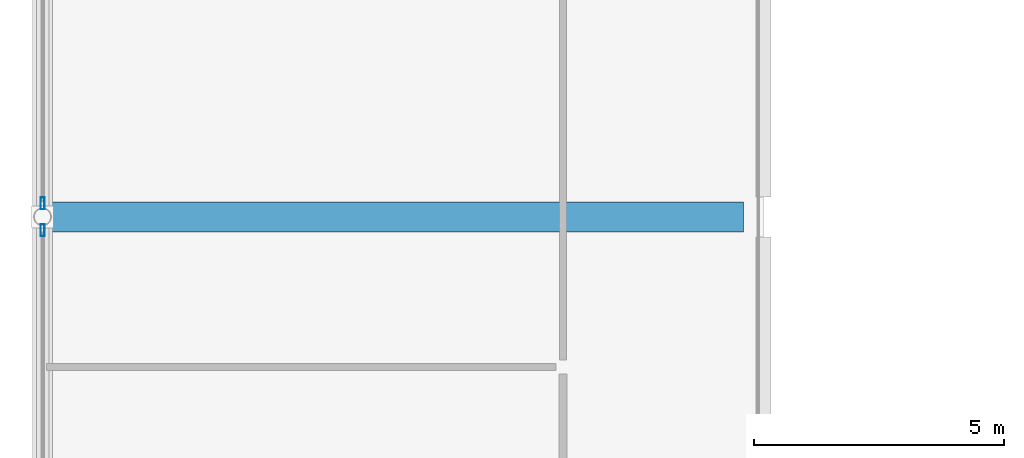
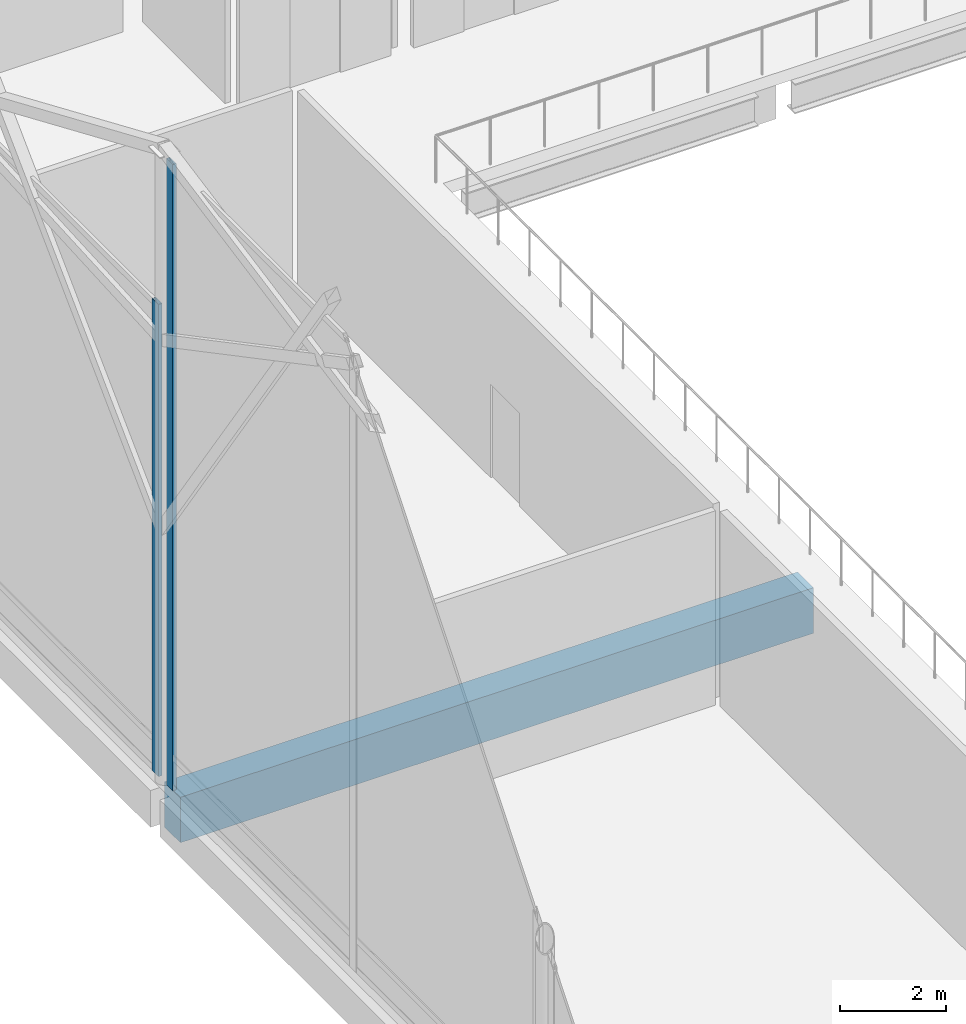
# One storey, part 60 of 220: 2 members, 1 beam, 2 elements without a shape of their own.
"""IFC4 building model written with IfcOpenShell, lengths in metres."""

from ifc_helpers import new_model, si_unit, direction, frame, origin, origin_2d, place, context, subcontext, project, spatial, rectangle, hollow_rectangle, extrude, material, material_profile, profile_set, type_object, element, aggregate, save


model = new_model("IFC4")

# Units and contexts
model_context = context("Model", 3, precision=1e-05, world=origin(), true_north=direction((0.0, 1.0)))
body_context = subcontext(model_context, "Body", "Model", "MODEL_VIEW")
ifc_project = project(units=[si_unit("LENGTHUNIT", "METRE"), si_unit("AREAUNIT", "SQUARE_METRE"), si_unit("VOLUMEUNIT", "CUBIC_METRE"), si_unit("PLANEANGLEUNIT", "RADIAN"), si_unit("MASSUNIT", "GRAM", prefix="KILO")], contexts=[model_context])

# Site, building, storey
site_placement = place(None, origin())
site = spatial("IfcSite", under=ifc_project, at=site_placement, CompositionType="ELEMENT")
building_placement = place(site_placement, origin())
building = spatial("IfcBuilding", under=site, at=building_placement, Name="Cendralis Lancet Convention Centre", CompositionType="ELEMENT")
storey_placement = place(building_placement, frame((0.0, 0.0, 5.39990234375)))
storey = spatial("IfcBuildingStorey", under=building, at=storey_placement, Name="L01", CompositionType="ELEMENT", Elevation=5.39990234375)

# Curtain wall, member
ifc_material_1 = material(Name="Anodised bronze architectural aluminium", Category="aluminium")
curtain_wall_type = type_object("IfcCurtainWallType", Name="ARC-CW-GB02", PredefinedType="USERDEFINED", material=ifc_material_1)
curtain_wall_1_placement = place(storey_placement, origin())
curtain_wall_1 = element("IfcCurtainWall", 1, at=curtain_wall_1_placement, inside=storey, type_object=curtain_wall_type, Name="L01 Curtain Wall CW-GB2 #102", ObjectType="CURTAIN WALL", PredefinedType="USERDEFINED")
ifc_material_profile_1 = material_profile(ifc_material_1, hollow_rectangle(XDim=0.080078125, YDim=0.239990234375, WallThickness=0.0048828125, at=origin_2d()), Name="AL-MULL 80x240x5.0")
ifc_profile_set_1 = profile_set([ifc_material_profile_1], Name="Anodised bronze architectural aluminium")
member_type = type_object("IfcMemberType", Name="ARC-CW-ML03", PredefinedType="MULLION", material=ifc_profile_set_1)
member_1_placement = place(storey_placement, frame((0.0, 107.732177734375, 0.0), z_axis=(0.0, 0.0, 1.0), x_axis=(1.0, 0.0, 0.0)))
member_1 = element("IfcMember", 2, at=member_1_placement, type_object=member_type, Name="Mullion CW2-CW-GB2-L01-102-M2", PredefinedType="MULLION", context=body_context, shape_type="SweptSolid", body=[
    extrude(hollow_rectangle(XDim=0.080078125, YDim=0.239990234375, WallThickness=0.0048828125, at=origin_2d()), origin(), (0.0, 0.0, 1.0), 14.4560546875),
])
aggregate(curtain_wall_1, [member_1])

curtain_wall_2_placement = place(storey_placement, origin())
curtain_wall_2 = element("IfcCurtainWall", 3, at=curtain_wall_2_placement, inside=storey, type_object=curtain_wall_type, Name="L01 Curtain Wall CW-GB2 #103", ObjectType="CURTAIN WALL", PredefinedType="USERDEFINED")
member_2_placement = place(storey_placement, frame((0.0, 108.267822265625, 0.0), z_axis=(0.0, 0.0, 1.0), x_axis=(1.0, 0.0, 0.0)))
member_2 = element("IfcMember", 4, at=member_2_placement, type_object=member_type, Name="Mullion CW2-CW-GB2-L01-103-M0", PredefinedType="MULLION", context=body_context, shape_type="SweptSolid", body=[
    extrude(hollow_rectangle(XDim=0.080078125, YDim=0.239990234375, WallThickness=0.0048828125, at=origin_2d()), origin(), (0.0, 0.0, 1.0), 10.901123046875),
])
aggregate(curtain_wall_2, [member_2])

# Beam
ifc_material_2 = material(Name="Concrete G40 (C40/50)", Category="concrete")
ifc_material_profile_2 = material_profile(ifc_material_2, rectangle(XDim=0.60009765625, YDim=1.050048828125, at=origin_2d()), Name="RCB 600x1050")
ifc_profile_set_2 = profile_set([ifc_material_profile_2], Name="Concrete G40 (C40/50)")
beam_type = type_object("IfcBeamType", Name="STR-BM-BG03", PredefinedType="BEAM", material=ifc_profile_set_2)
beam_placement = place(storey_placement, frame((0.177734375, 108.0, -0.804931640625), z_axis=(1.0, 0.0, 0.0), x_axis=(0.0, 1.0, 0.0)))
element("IfcBeam", 5, at=beam_placement, inside=storey, type_object=beam_type, Name="L01 Beam BG03 #1287", PredefinedType="BEAM", context=body_context, shape_type="SweptSolid", body=[
    extrude(rectangle(XDim=0.60009765625, YDim=1.050048828125, at=origin_2d()), origin(), (0.0, 0.0, 1.0), 13.822265625),
])

save(model, "model.ifc")
